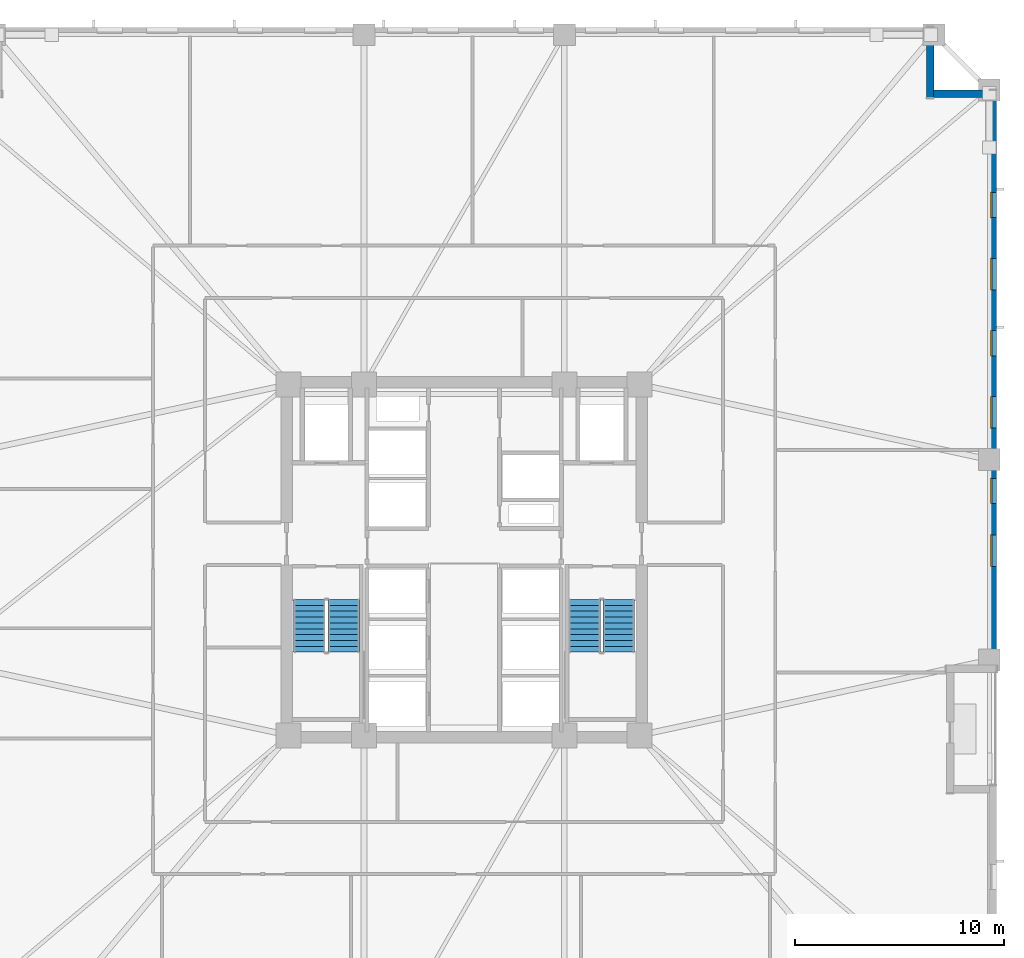
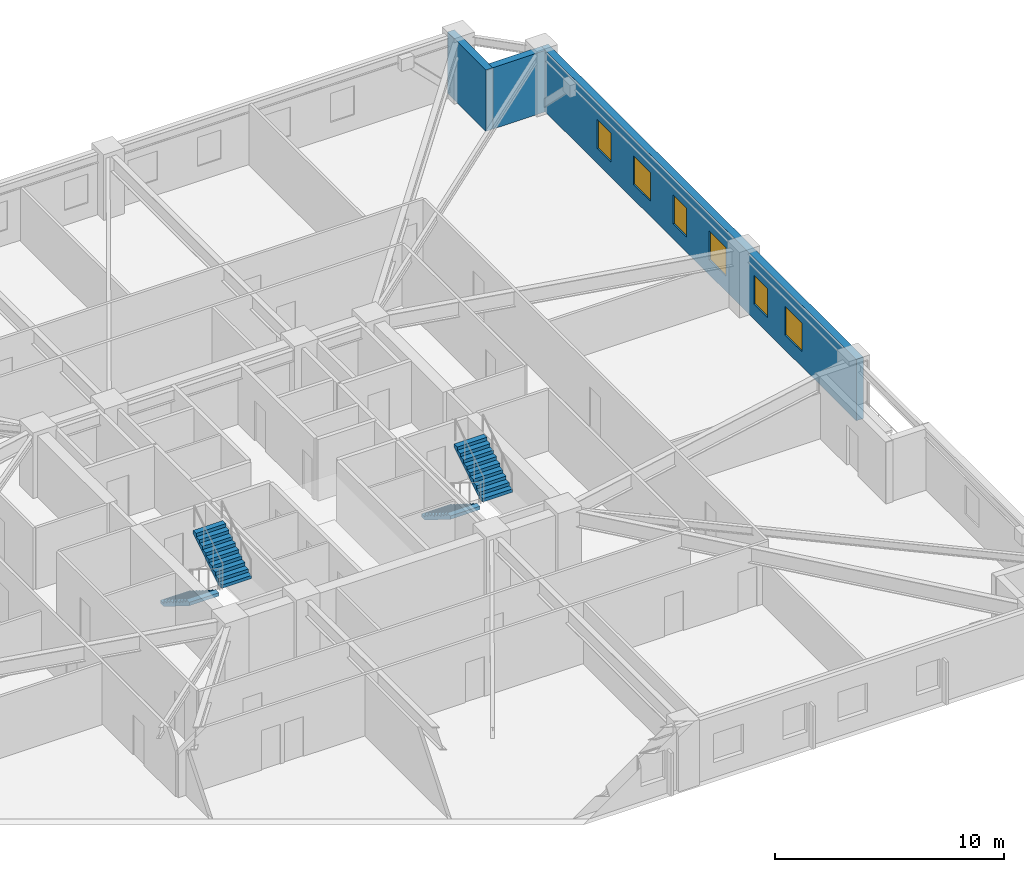
# One storey, part 6 of 11: 6 windows, 4 stair flights, 3 walls, 6 openings, 2 elements without a shape of their own.
"""IFC4 building model written with IfcOpenShell, lengths in metres."""

from ifc_helpers import new_model, si_unit, direction, frame, frame_2d, origin, place, context, subcontext, project, spatial, polyline, rectangle, outline, extrude, material, layer, layer_set, type_object, element, fill, aggregate, save


model = new_model("IFC4")

# Units and contexts
model_context = context("Model", 3, precision=1e-05, world=origin(), true_north=direction((0.0, 1.0)))
body_context = subcontext(model_context, "Body", "Model", "MODEL_VIEW")
ifc_project = project(units=[si_unit("LENGTHUNIT", "METRE"), si_unit("AREAUNIT", "SQUARE_METRE"), si_unit("VOLUMEUNIT", "CUBIC_METRE"), si_unit("PLANEANGLEUNIT", "RADIAN"), si_unit("MASSUNIT", "GRAM", prefix="KILO")], contexts=[model_context])

# Site, building, storey
site_placement = place(None, origin())
site = spatial("IfcSite", under=ifc_project, at=site_placement, CompositionType="ELEMENT")
building_placement = place(site_placement, origin())
building = spatial("IfcBuilding", under=site, at=building_placement, Name="Cairnveth Concourse Tower", CompositionType="ELEMENT")
storey_placement = place(building_placement, frame((0.0, 0.0, 62.0)))
storey = spatial("IfcBuildingStorey", under=building, at=storey_placement, Name="L16", CompositionType="ELEMENT", Elevation=62.0)

# Walls
ifc_material_1 = material(Name="Hawthorn Red-Ochre Fired Clay Brick Masonry", Category="masonry")
ifc_layer = layer(ifc_material_1, 0.360107421875)
ifc_layer_set = layer_set([ifc_layer], Name="Hawthorn Red-Ochre Fired Clay Brick Masonry")
wall_type = type_object("IfcWallType", Name="ZONE 1 BRICK PIER SPANDREL WALL 360", PredefinedType="SOLIDWALL", material=ifc_layer_set)
wall_1_placement = place(storey_placement, frame((74.320068359375, 64.5, 0.0), z_axis=(0.0, 0.0, 1.0), x_axis=(0.0, -1.0, 0.0)))
element("IfcWall", 1, at=wall_1_placement, inside=storey, type_object=wall_type, Name="Exterior Wall EW-L16-S10", PredefinedType="SOLIDWALL", context=body_context, shape_type="SweptSolid", body=[
    extrude(rectangle(XDim=3.360107421875, YDim=0.360107421875, at=frame_2d((1.68017578125, 0.0))), origin(), (0.0, 0.0, 1.0), 3.280029296875),
])
wall_2_placement = place(storey_placement, frame((74.47802734375, 61.320068359375, 0.0), z_axis=(0.0, 0.0, 1.0), x_axis=(1.0, 0.0, 0.0)))
element("IfcWall", 2, at=wall_2_placement, inside=storey, type_object=wall_type, Name="Exterior Wall EW-L16-S11", PredefinedType="SOLIDWALL", context=body_context, shape_type="SweptSolid", body=[
    extrude(rectangle(XDim=2.68408203125, YDim=0.360107421875, at=frame_2d((1.342041015625, 0.0))), origin(), (0.0, 0.0, 1.0), 3.280029296875),
])

# Wall, openings, windows
wall_3_placement = place(storey_placement, frame((77.320068359375, 61.5, 0.0), z_axis=(0.0, 0.0, 1.0), x_axis=(0.0, -1.0, 0.0)))
wall_3 = element("IfcWall", 3, at=wall_3_placement, inside=storey, type_object=wall_type, Name="Exterior Wall EW-L16-S12", PredefinedType="SOLIDWALL", context=body_context, shape_type="SweptSolid", body=[
    extrude(rectangle(XDim=27.56201171875, YDim=0.360107421875, at=frame_2d((13.781005859375, 0.0))), origin(), (0.0, 0.0, 1.0), 3.280029296875),
])
opening_1_placement = place(wall_3_placement, frame((4.9052734375, 0.0, 0.800048828125)))
opening_1 = element("IfcOpeningElement", 4, at=opening_1_placement, cuts=wall_3, Name="Opening W01", PredefinedType="OPENING", context=body_context, shape_type="SweptSolid", body=[
    extrude(rectangle(XDim=1.199951171875, YDim=1.5439453125, at=frame_2d((0.60009765625, 0.77197265625))), frame((0.0, 0.18994140625, 0.0), z_axis=(0.0, -1.0, 0.0), x_axis=(1.0, 0.0, 0.0)), (0.0, 0.0, 1.0), 0.380126953125),
])
opening_2_placement = place(wall_3_placement, frame((8.0654296875, 0.0, 0.800048828125)))
opening_2 = element("IfcOpeningElement", 5, at=opening_2_placement, cuts=wall_3, Name="Opening W03", PredefinedType="OPENING", context=body_context, shape_type="SweptSolid", body=[
    extrude(rectangle(XDim=1.5, YDim=1.5439453125, at=frame_2d((0.75, 0.77197265625))), frame((0.0, 0.18994140625, 0.0), z_axis=(0.0, -1.0, 0.0), x_axis=(1.0, 0.0, 0.0)), (0.0, 0.0, 1.0), 0.380126953125),
])
opening_3_placement = place(wall_3_placement, frame((11.52587890625, 0.0, 0.800048828125)))
opening_3 = element("IfcOpeningElement", 6, at=opening_3_placement, cuts=wall_3, Name="Opening W01", PredefinedType="OPENING", context=body_context, shape_type="SweptSolid", body=[
    extrude(rectangle(XDim=1.199951171875, YDim=1.5439453125, at=frame_2d((0.60009765625, 0.77197265625))), frame((0.0, 0.18994140625, 0.0), z_axis=(0.0, -1.0, 0.0), x_axis=(1.0, 0.0, 0.0)), (0.0, 0.0, 1.0), 0.380126953125),
])
opening_4_placement = place(wall_3_placement, frame((14.686279296875, 0.0, 0.800048828125)))
opening_4 = element("IfcOpeningElement", 7, at=opening_4_placement, cuts=wall_3, Name="Opening W03", PredefinedType="OPENING", context=body_context, shape_type="SweptSolid", body=[
    extrude(rectangle(XDim=1.5, YDim=1.5439453125, at=frame_2d((0.75, 0.77197265625))), frame((0.0, 0.18994140625, 0.0), z_axis=(0.0, -1.0, 0.0), x_axis=(1.0, 0.0, 0.0)), (0.0, 0.0, 1.0), 0.380126953125),
])
opening_5_placement = place(wall_3_placement, frame((18.596435546875, 0.0, 0.800048828125)))
opening_5 = element("IfcOpeningElement", 8, at=opening_5_placement, cuts=wall_3, Name="Opening W01", PredefinedType="OPENING", context=body_context, shape_type="SweptSolid", body=[
    extrude(rectangle(XDim=1.199951171875, YDim=1.5439453125, at=frame_2d((0.60009765625, 0.77197265625))), frame((0.0, 0.18994140625, 0.0), z_axis=(0.0, -1.0, 0.0), x_axis=(1.0, 0.0, 0.0)), (0.0, 0.0, 1.0), 0.380126953125),
])
opening_6_placement = place(wall_3_placement, frame((21.306884765625, 0.0, 0.800048828125)))
opening_6 = element("IfcOpeningElement", 9, at=opening_6_placement, cuts=wall_3, Name="Opening W03", PredefinedType="OPENING", context=body_context, shape_type="SweptSolid", body=[
    extrude(rectangle(XDim=1.5, YDim=1.5439453125, at=frame_2d((0.75, 0.77197265625))), frame((0.0, 0.18994140625, 0.0), z_axis=(0.0, -1.0, 0.0), x_axis=(1.0, 0.0, 0.0)), (0.0, 0.0, 1.0), 0.380126953125),
])
ifc_material_2 = material(Name="Double Glazed Low-E Clear Glass", Category="glass")
window_type_1 = type_object("IfcWindowType", Name="DEEP-SET GOTHIC LANCET WINDOW 1200X1800", PartitioningType="DOUBLE_PANEL_VERTICAL", PredefinedType="WINDOW", material=ifc_material_2)
window_1_placement = place(opening_1_placement, origin())
window_1 = element("IfcWindow", 10, at=window_1_placement, inside=storey, type_object=window_type_1, Name="Gothic Lancet Window L16-12-1", OverallHeight=1.5439453125, OverallWidth=1.199951171875, PartitioningType="SINGLE_PANEL", PredefinedType="WINDOW", context=body_context, shape_type="SweptSolid", body=[
    extrude(rectangle(XDim=1.199951171875, YDim=1.5439453125, at=frame_2d((0.60009765625, 0.77197265625))), frame((0.0, -0.050048828125, 0.0), z_axis=(0.0, -1.0, 0.0), x_axis=(1.0, 0.0, 0.0)), (0.0, 0.0, 1.0), 0.06005859375),
])
fill(opening_1, window_1)
window_2_placement = place(opening_3_placement, origin())
window_2 = element("IfcWindow", 11, at=window_2_placement, inside=storey, type_object=window_type_1, Name="Gothic Lancet Window L16-12-3", OverallHeight=1.5439453125, OverallWidth=1.199951171875, PartitioningType="SINGLE_PANEL", PredefinedType="WINDOW", context=body_context, shape_type="SweptSolid", body=[
    extrude(rectangle(XDim=1.199951171875, YDim=1.5439453125, at=frame_2d((0.60009765625, 0.77197265625))), frame((0.0, -0.050048828125, 0.0), z_axis=(0.0, -1.0, 0.0), x_axis=(1.0, 0.0, 0.0)), (0.0, 0.0, 1.0), 0.06005859375),
])
fill(opening_3, window_2)
window_3_placement = place(opening_5_placement, origin())
window_3 = element("IfcWindow", 12, at=window_3_placement, inside=storey, type_object=window_type_1, Name="Gothic Lancet Window L16-12-5", OverallHeight=1.5439453125, OverallWidth=1.199951171875, PartitioningType="SINGLE_PANEL", PredefinedType="WINDOW", context=body_context, shape_type="SweptSolid", body=[
    extrude(rectangle(XDim=1.199951171875, YDim=1.5439453125, at=frame_2d((0.60009765625, 0.77197265625))), frame((0.0, -0.050048828125, 0.0), z_axis=(0.0, -1.0, 0.0), x_axis=(1.0, 0.0, 0.0)), (0.0, 0.0, 1.0), 0.06005859375),
])
fill(opening_5, window_3)
window_type_2 = type_object("IfcWindowType", Name="DEEP-SET GOTHIC LANCET WINDOW 1500X1800", PartitioningType="DOUBLE_PANEL_VERTICAL", PredefinedType="WINDOW", material=ifc_material_2)
window_4_placement = place(opening_2_placement, origin())
window_4 = element("IfcWindow", 13, at=window_4_placement, inside=storey, type_object=window_type_2, Name="Gothic Lancet Window L16-12-2", OverallHeight=1.5439453125, OverallWidth=1.5, PartitioningType="SINGLE_PANEL", PredefinedType="WINDOW", context=body_context, shape_type="SweptSolid", body=[
    extrude(rectangle(XDim=1.5, YDim=1.5439453125, at=frame_2d((0.75, 0.77197265625))), frame((0.0, -0.050048828125, 0.0), z_axis=(0.0, -1.0, 0.0), x_axis=(1.0, 0.0, 0.0)), (0.0, 0.0, 1.0), 0.06005859375),
])
fill(opening_2, window_4)
window_5_placement = place(opening_4_placement, origin())
window_5 = element("IfcWindow", 14, at=window_5_placement, inside=storey, type_object=window_type_2, Name="Gothic Lancet Window L16-12-4", OverallHeight=1.5439453125, OverallWidth=1.5, PartitioningType="SINGLE_PANEL", PredefinedType="WINDOW", context=body_context, shape_type="SweptSolid", body=[
    extrude(rectangle(XDim=1.5, YDim=1.5439453125, at=frame_2d((0.75, 0.77197265625))), frame((0.0, -0.050048828125, 0.0), z_axis=(0.0, -1.0, 0.0), x_axis=(1.0, 0.0, 0.0)), (0.0, 0.0, 1.0), 0.06005859375),
])
fill(opening_4, window_5)
window_6_placement = place(opening_6_placement, origin())
window_6 = element("IfcWindow", 15, at=window_6_placement, inside=storey, type_object=window_type_2, Name="Gothic Lancet Window L16-12-6", OverallHeight=1.5439453125, OverallWidth=1.5, PartitioningType="SINGLE_PANEL", PredefinedType="WINDOW", context=body_context, shape_type="SweptSolid", body=[
    extrude(rectangle(XDim=1.5, YDim=1.5439453125, at=frame_2d((0.75, 0.77197265625))), frame((0.0, -0.050048828125, 0.0), z_axis=(0.0, -1.0, 0.0), x_axis=(1.0, 0.0, 0.0)), (0.0, 0.0, 1.0), 0.06005859375),
])
fill(opening_6, window_6)

# Stair, stair flights
ifc_material_3 = material(Name="Precast concrete N50 (50 MPa)", Category="concrete")
stair_type = type_object("IfcStairType", Name="CORE DOG-LEG FIRE STAIR 1500", PredefinedType="HALF_TURN_STAIR", material=ifc_material_3)
stair_1_placement = place(storey_placement, origin())
stair_1 = element("IfcStair", 16, at=stair_1_placement, inside=storey, type_object=stair_type, Name="L16 Fire-Isolated Stair ST-1", PredefinedType="HALF_TURN_STAIR")
stair_flight_type = type_object("IfcStairFlightType", Name="PRECAST CONCRETE STAIR FLIGHT 1500", PredefinedType="STRAIGHT", material=ifc_material_3)
stair_flight_1_placement = place(storey_placement, frame((44.590087890625, 37.10009765625, 0.0), z_axis=(0.0, 0.0, 1.0), x_axis=(0.0, -1.0, 0.0)))
stair_flight_1 = element("IfcStairFlight", 17, at=stair_flight_1_placement, type_object=stair_flight_type, Name="ST-1 flight 1", NumberOfRisers=10, NumberOfTreads=9, PredefinedType="STRAIGHT", RiserHeight=0.175, TreadLength=0.28, context=body_context, shape_type="SweptSolid", body=[
    extrude(outline(polyline([(0.0, 0.0), (0.0, 0.175048828125), (0.280029296875, 0.175048828125), (0.280029296875, 0.35009765625), (0.56005859375, 0.35009765625), (0.56005859375, 0.52490234375), (0.840087890625, 0.52490234375), (0.840087890625, 0.699951171875), (1.1201171875, 0.699951171875), (1.1201171875, 0.875), (1.39990234375, 0.875), (1.39990234375, 1.050048828125), (1.679931640625, 1.050048828125), (1.679931640625, 1.22509765625), (1.9599609375, 1.22509765625), (1.9599609375, 1.39990234375), (2.239990234375, 1.39990234375), (2.239990234375, 1.574951171875), (2.52001953125, 1.574951171875), (2.52001953125, 1.75), (2.52001953125, 1.398193359375), (0.28271484375, 0.0), (0.0, 0.0)])), frame((0.0, 0.75, 0.0), z_axis=(0.0, -1.0, 0.0), x_axis=(1.0, 0.0, 0.0)), (0.0, 0.0, 1.0), 1.5),
])
stair_flight_2_placement = place(storey_placement, frame((46.22998046875, 34.580078125, 1.75), z_axis=(0.0, 0.0, 1.0), x_axis=(0.0, 1.0, 0.0)))
stair_flight_2 = element("IfcStairFlight", 18, at=stair_flight_2_placement, type_object=stair_flight_type, Name="ST-1 flight 2", NumberOfRisers=10, NumberOfTreads=9, PredefinedType="STRAIGHT", RiserHeight=0.175, TreadLength=0.28, context=body_context, shape_type="SweptSolid", body=[
    extrude(outline(polyline([(0.0, 0.0), (0.0, 0.175048828125), (0.280029296875, 0.175048828125), (0.280029296875, 0.35009765625), (0.56005859375, 0.35009765625), (0.56005859375, 0.52490234375), (0.840087890625, 0.52490234375), (0.840087890625, 0.699951171875), (1.1201171875, 0.699951171875), (1.1201171875, 0.875), (1.39990234375, 0.875), (1.39990234375, 1.050048828125), (1.679931640625, 1.050048828125), (1.679931640625, 1.22509765625), (1.9599609375, 1.22509765625), (1.9599609375, 1.39990234375), (2.239990234375, 1.39990234375), (2.239990234375, 1.574951171875), (2.52001953125, 1.574951171875), (2.52001953125, 1.75), (2.52001953125, 1.398193359375), (0.28271484375, 0.0), (0.0, 0.0)])), frame((0.0, 0.75, 0.0), z_axis=(0.0, -1.0, 0.0), x_axis=(1.0, 0.0, 0.0)), (0.0, 0.0, 1.0), 1.5),
])
aggregate(stair_1, [stair_flight_1, stair_flight_2])

stair_2_placement = place(storey_placement, origin())
stair_2 = element("IfcStair", 19, at=stair_2_placement, inside=storey, type_object=stair_type, Name="L16 Fire-Isolated Stair ST-2", PredefinedType="HALF_TURN_STAIR")
stair_flight_3_placement = place(storey_placement, frame((57.77001953125, 37.10009765625, 0.0), z_axis=(0.0, 0.0, 1.0), x_axis=(0.0, -1.0, 0.0)))
stair_flight_3 = element("IfcStairFlight", 20, at=stair_flight_3_placement, type_object=stair_flight_type, Name="ST-2 flight 1", NumberOfRisers=10, NumberOfTreads=9, PredefinedType="STRAIGHT", RiserHeight=0.175, TreadLength=0.28, context=body_context, shape_type="SweptSolid", body=[
    extrude(outline(polyline([(0.0, 0.0), (0.0, 0.175048828125), (0.280029296875, 0.175048828125), (0.280029296875, 0.35009765625), (0.56005859375, 0.35009765625), (0.56005859375, 0.52490234375), (0.840087890625, 0.52490234375), (0.840087890625, 0.699951171875), (1.1201171875, 0.699951171875), (1.1201171875, 0.875), (1.39990234375, 0.875), (1.39990234375, 1.050048828125), (1.679931640625, 1.050048828125), (1.679931640625, 1.22509765625), (1.9599609375, 1.22509765625), (1.9599609375, 1.39990234375), (2.239990234375, 1.39990234375), (2.239990234375, 1.574951171875), (2.52001953125, 1.574951171875), (2.52001953125, 1.75), (2.52001953125, 1.398193359375), (0.28271484375, 0.0), (0.0, 0.0)])), frame((0.0, 0.75, 0.0), z_axis=(0.0, -1.0, 0.0), x_axis=(1.0, 0.0, 0.0)), (0.0, 0.0, 1.0), 1.5),
])
stair_flight_4_placement = place(storey_placement, frame((59.409912109375, 34.580078125, 1.75), z_axis=(0.0, 0.0, 1.0), x_axis=(0.0, 1.0, 0.0)))
stair_flight_4 = element("IfcStairFlight", 21, at=stair_flight_4_placement, type_object=stair_flight_type, Name="ST-2 flight 2", NumberOfRisers=10, NumberOfTreads=9, PredefinedType="STRAIGHT", RiserHeight=0.175, TreadLength=0.28, context=body_context, shape_type="SweptSolid", body=[
    extrude(outline(polyline([(0.0, 0.0), (0.0, 0.175048828125), (0.280029296875, 0.175048828125), (0.280029296875, 0.35009765625), (0.56005859375, 0.35009765625), (0.56005859375, 0.52490234375), (0.840087890625, 0.52490234375), (0.840087890625, 0.699951171875), (1.1201171875, 0.699951171875), (1.1201171875, 0.875), (1.39990234375, 0.875), (1.39990234375, 1.050048828125), (1.679931640625, 1.050048828125), (1.679931640625, 1.22509765625), (1.9599609375, 1.22509765625), (1.9599609375, 1.39990234375), (2.239990234375, 1.39990234375), (2.239990234375, 1.574951171875), (2.52001953125, 1.574951171875), (2.52001953125, 1.75), (2.52001953125, 1.398193359375), (0.28271484375, 0.0), (0.0, 0.0)])), frame((0.0, 0.75, 0.0), z_axis=(0.0, -1.0, 0.0), x_axis=(1.0, 0.0, 0.0)), (0.0, 0.0, 1.0), 1.5),
])
aggregate(stair_2, [stair_flight_3, stair_flight_4])

save(model, "model.ifc")
